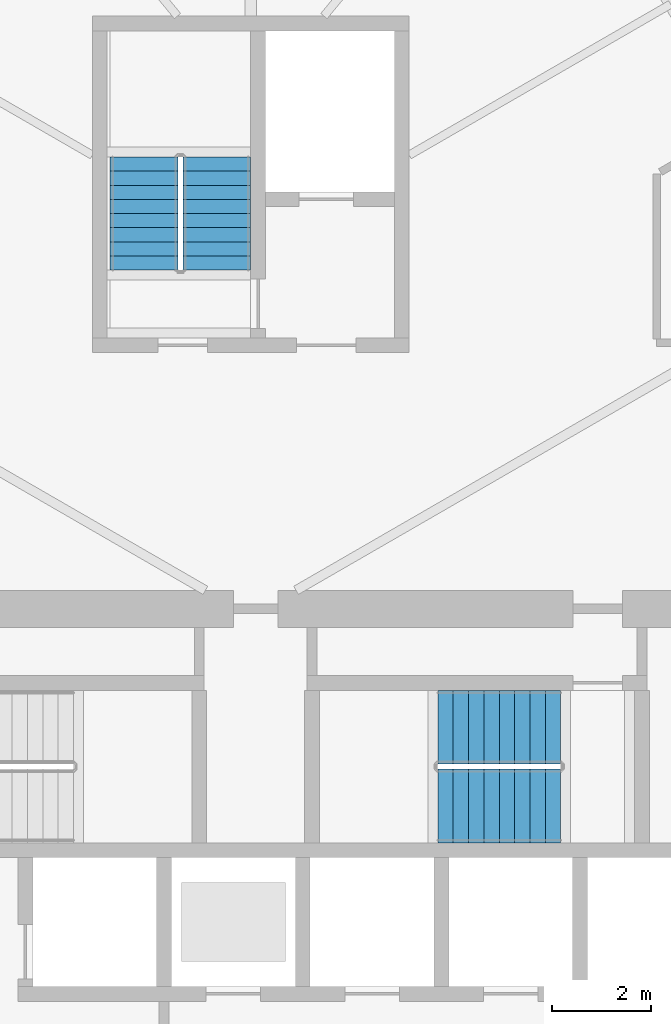
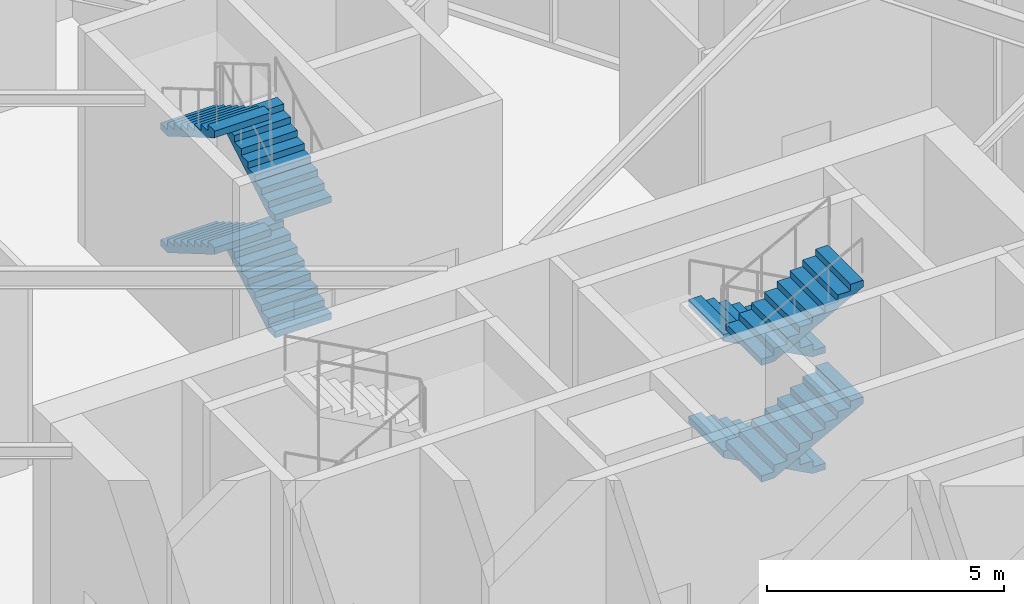
# One storey, part 13 of 16: 8 stair flights, 2 elements without a shape of their own.
"""IFC4 building model written with IfcOpenShell, lengths in metres."""

from ifc_helpers import new_model, si_unit, direction, frame, origin, place, context, subcontext, project, spatial, polyline, outline, extrude, material, type_object, element, aggregate, save


model = new_model("IFC4")

# Units and contexts
model_context = context("Model", 3, precision=1e-05, world=origin(), true_north=direction((0.0, 1.0)))
body_context = subcontext(model_context, "Body", "Model", "MODEL_VIEW")
ifc_project = project(units=[si_unit("LENGTHUNIT", "METRE"), si_unit("AREAUNIT", "SQUARE_METRE"), si_unit("VOLUMEUNIT", "CUBIC_METRE"), si_unit("PLANEANGLEUNIT", "RADIAN"), si_unit("MASSUNIT", "GRAM", prefix="KILO")], contexts=[model_context])

# Site, building, storey
site_placement = place(None, origin())
site = spatial("IfcSite", under=ifc_project, at=site_placement, CompositionType="ELEMENT")
building_placement = place(site_placement, origin())
building = spatial("IfcBuilding", under=site, at=building_placement, Name="Firuza Gate Tower and Library", CompositionType="ELEMENT")
storey_placement = place(building_placement, frame((0.0, 0.0, 241.60009765625)))
storey = spatial("IfcBuildingStorey", under=building, at=storey_placement, Name="L57", CompositionType="ELEMENT", Elevation=241.60009765625)

# Stair, stair flights
ifc_material_1 = material(Name="Concrete C35/45", Category="concrete")
stair_type_1 = type_object("IfcStairType", Name="Exit stair ST15", PredefinedType="HALF_TURN_STAIR", material=ifc_material_1)
placement = place(storey_placement, origin())
stair_1 = element("IfcStair", 1, at=placement, inside=storey, type_object=stair_type_1, Name="L57 Stair ST3", PredefinedType="HALF_TURN_STAIR")
ifc_material_2 = material(Name="Concrete C35/45", Category="concrete")
stair_flight_type_1 = type_object("IfcStairFlightType", Name="Stair flight 9 risers 166.7 width 1370", PredefinedType="STRAIGHT", material=ifc_material_2)
stair_flight_1_placement = place(storey_placement, frame((74.31494140625, 89.469970703125, 0.0), z_axis=(0.0, 0.0, 1.0), x_axis=(0.0, 1.0, 0.0)))
stair_flight_1 = element("IfcStairFlight", 2, at=stair_flight_1_placement, type_object=stair_flight_type_1, Name="ST3 flight 1", NumberOfRisers=9, NumberOfTreads=8, PredefinedType="STRAIGHT", RiserHeight=0.166666667, TreadLength=0.285, context=body_context, shape_type="SweptSolid", body=[
    extrude(outline(polyline([(0.0, 0.0), (0.0, 0.166748046875), (0.284912109375, 0.166748046875), (0.284912109375, 0.333251953125), (0.570068359375, 0.333251953125), (0.570068359375, 0.5), (0.85498046875, 0.5), (0.85498046875, 0.666748046875), (1.139892578125, 0.666748046875), (1.139892578125, 0.833251953125), (1.425048828125, 0.833251953125), (1.425048828125, 1.0), (1.7099609375, 1.0), (1.7099609375, 1.166748046875), (1.9951171875, 1.166748046875), (1.9951171875, 1.333251953125), (2.280029296875, 1.333251953125), (2.280029296875, 1.5), (2.280029296875, 1.15966796875), (0.296875, 0.0), (0.0, 0.0)])), frame((0.0, 0.68505859375, 0.0), z_axis=(0.0, -1.0, 0.0), x_axis=(1.0, 0.0, 0.0)), (0.0, 0.0, 1.0), 1.3701171875),
])
stair_flight_2_placement = place(storey_placement, frame((72.844970703125, 91.75, 1.5), z_axis=(0.0, 0.0, 1.0), x_axis=(0.0, -1.0, 0.0)))
stair_flight_2 = element("IfcStairFlight", 3, at=stair_flight_2_placement, type_object=stair_flight_type_1, Name="ST3 flight 2", NumberOfRisers=9, NumberOfTreads=8, PredefinedType="STRAIGHT", RiserHeight=0.166666667, TreadLength=0.285, context=body_context, shape_type="SweptSolid", body=[
    extrude(outline(polyline([(0.0, 0.0), (0.0, 0.166748046875), (0.284912109375, 0.166748046875), (0.284912109375, 0.333251953125), (0.570068359375, 0.333251953125), (0.570068359375, 0.5), (0.85498046875, 0.5), (0.85498046875, 0.666748046875), (1.139892578125, 0.666748046875), (1.139892578125, 0.833251953125), (1.425048828125, 0.833251953125), (1.425048828125, 1.0), (1.7099609375, 1.0), (1.7099609375, 1.166748046875), (1.9951171875, 1.166748046875), (1.9951171875, 1.333251953125), (2.280029296875, 1.333251953125), (2.280029296875, 1.5), (2.280029296875, 1.15966796875), (0.296875, 0.0), (0.0, 0.0)])), frame((0.0, 0.68505859375, 0.0), z_axis=(0.0, -1.0, 0.0), x_axis=(1.0, 0.0, 0.0)), (0.0, 0.0, 1.0), 1.3701171875),
])
stair_flight_3_placement = place(storey_placement, frame((74.31494140625, 89.469970703125, 3.0), z_axis=(0.0, 0.0, 1.0), x_axis=(0.0, 1.0, 0.0)))
stair_flight_3 = element("IfcStairFlight", 4, at=stair_flight_3_placement, type_object=stair_flight_type_1, Name="ST3 flight 3", NumberOfRisers=9, NumberOfTreads=8, PredefinedType="STRAIGHT", RiserHeight=0.166666667, TreadLength=0.285, context=body_context, shape_type="SweptSolid", body=[
    extrude(outline(polyline([(0.0, 0.0), (0.0, 0.166748046875), (0.284912109375, 0.166748046875), (0.284912109375, 0.333251953125), (0.570068359375, 0.333251953125), (0.570068359375, 0.5), (0.85498046875, 0.5), (0.85498046875, 0.666748046875), (1.139892578125, 0.666748046875), (1.139892578125, 0.833251953125), (1.425048828125, 0.833251953125), (1.425048828125, 1.0), (1.7099609375, 1.0), (1.7099609375, 1.166748046875), (1.9951171875, 1.166748046875), (1.9951171875, 1.333251953125), (2.280029296875, 1.333251953125), (2.280029296875, 1.5), (2.280029296875, 1.15966796875), (0.296875, 0.0), (0.0, 0.0)])), frame((0.0, 0.68505859375, 0.0), z_axis=(0.0, -1.0, 0.0), x_axis=(1.0, 0.0, 0.0)), (0.0, 0.0, 1.0), 1.3701171875),
])
stair_flight_4_placement = place(storey_placement, frame((72.844970703125, 91.75, 4.5), z_axis=(0.0, 0.0, 1.0), x_axis=(0.0, -1.0, 0.0)))
stair_flight_4 = element("IfcStairFlight", 5, at=stair_flight_4_placement, type_object=stair_flight_type_1, Name="ST3 flight 4", NumberOfRisers=9, NumberOfTreads=8, PredefinedType="STRAIGHT", RiserHeight=0.166666667, TreadLength=0.285, context=body_context, shape_type="SweptSolid", body=[
    extrude(outline(polyline([(0.0, 0.0), (0.0, 0.166748046875), (0.284912109375, 0.166748046875), (0.284912109375, 0.333251953125), (0.570068359375, 0.333251953125), (0.570068359375, 0.5), (0.85498046875, 0.5), (0.85498046875, 0.666748046875), (1.139892578125, 0.666748046875), (1.139892578125, 0.833251953125), (1.425048828125, 0.833251953125), (1.425048828125, 1.0), (1.7099609375, 1.0), (1.7099609375, 1.166748046875), (1.9951171875, 1.166748046875), (1.9951171875, 1.333251953125), (2.280029296875, 1.333251953125), (2.280029296875, 1.5), (2.280029296875, 1.15966796875), (0.296875, 0.0), (0.0, 0.0)])), frame((0.0, 0.68505859375, 0.0), z_axis=(0.0, -1.0, 0.0), x_axis=(1.0, 0.0, 0.0)), (0.0, 0.0, 1.0), 1.3701171875),
])
aggregate(stair_1, [stair_flight_1, stair_flight_2, stair_flight_3, stair_flight_4])

ifc_material_3 = material(Name="Concrete C35/45", Category="concrete")
stair_type_2 = type_object("IfcStairType", Name="Exit stair ST6", PredefinedType="HALF_TURN_STAIR", material=ifc_material_3)
stair_2 = element("IfcStair", 6, at=placement, inside=storey, type_object=stair_type_2, Name="L57 Stair ST2", PredefinedType="HALF_TURN_STAIR")
ifc_material_4 = material(Name="Concrete C35/45", Category="concrete")
stair_flight_type_2 = type_object("IfcStairFlightType", Name="Stair flight 9 risers 166.7 width 1490", PredefinedType="STRAIGHT", material=ifc_material_4)
stair_flight_5_placement = place(storey_placement, frame((81.260009765625, 80.235107421875, 0.0), z_axis=(0.0, 0.0, 1.0), x_axis=(-1.0, 0.0, 0.0)))
stair_flight_5 = element("IfcStairFlight", 7, at=stair_flight_5_placement, type_object=stair_flight_type_2, Name="ST2 flight 1", NumberOfRisers=9, NumberOfTreads=8, PredefinedType="STRAIGHT", RiserHeight=0.166666667, TreadLength=0.31, context=body_context, shape_type="SweptSolid", body=[
    extrude(outline(polyline([(0.0, 0.0), (0.0, 0.166748046875), (0.31005859375, 0.166748046875), (0.31005859375, 0.333251953125), (0.6201171875, 0.333251953125), (0.6201171875, 0.5), (0.929931640625, 0.5), (0.929931640625, 0.666748046875), (1.239990234375, 0.666748046875), (1.239990234375, 0.833251953125), (1.550048828125, 0.833251953125), (1.550048828125, 1.0), (1.860107421875, 1.0), (1.860107421875, 1.166748046875), (2.169921875, 1.166748046875), (2.169921875, 1.333251953125), (2.47998046875, 1.333251953125), (2.47998046875, 1.5), (2.47998046875, 1.1630859375), (0.316650390625, 0.0), (0.0, 0.0)])), frame((0.0, 0.7451171875, 0.0), z_axis=(0.0, -1.0, 0.0), x_axis=(1.0, 0.0, 0.0)), (0.0, 0.0, 1.0), 1.489990234375),
])
stair_flight_6_placement = place(storey_placement, frame((78.780029296875, 78.64501953125, 1.5), z_axis=(0.0, 0.0, 1.0), x_axis=(1.0, 0.0, 0.0)))
stair_flight_6 = element("IfcStairFlight", 8, at=stair_flight_6_placement, type_object=stair_flight_type_2, Name="ST2 flight 2", NumberOfRisers=9, NumberOfTreads=8, PredefinedType="STRAIGHT", RiserHeight=0.166666667, TreadLength=0.31, context=body_context, shape_type="SweptSolid", body=[
    extrude(outline(polyline([(0.0, 0.0), (0.0, 0.166748046875), (0.31005859375, 0.166748046875), (0.31005859375, 0.333251953125), (0.6201171875, 0.333251953125), (0.6201171875, 0.5), (0.929931640625, 0.5), (0.929931640625, 0.666748046875), (1.239990234375, 0.666748046875), (1.239990234375, 0.833251953125), (1.550048828125, 0.833251953125), (1.550048828125, 1.0), (1.860107421875, 1.0), (1.860107421875, 1.166748046875), (2.169921875, 1.166748046875), (2.169921875, 1.333251953125), (2.47998046875, 1.333251953125), (2.47998046875, 1.5), (2.47998046875, 1.1630859375), (0.316650390625, 0.0), (0.0, 0.0)])), frame((0.0, 0.7451171875, 0.0), z_axis=(0.0, -1.0, 0.0), x_axis=(1.0, 0.0, 0.0)), (0.0, 0.0, 1.0), 1.489990234375),
])
stair_flight_7_placement = place(storey_placement, frame((81.260009765625, 80.235107421875, 3.0), z_axis=(0.0, 0.0, 1.0), x_axis=(-1.0, 0.0, 0.0)))
stair_flight_7 = element("IfcStairFlight", 9, at=stair_flight_7_placement, type_object=stair_flight_type_2, Name="ST2 flight 3", NumberOfRisers=9, NumberOfTreads=8, PredefinedType="STRAIGHT", RiserHeight=0.166666667, TreadLength=0.31, context=body_context, shape_type="SweptSolid", body=[
    extrude(outline(polyline([(0.0, 0.0), (0.0, 0.166748046875), (0.31005859375, 0.166748046875), (0.31005859375, 0.333251953125), (0.6201171875, 0.333251953125), (0.6201171875, 0.5), (0.929931640625, 0.5), (0.929931640625, 0.666748046875), (1.239990234375, 0.666748046875), (1.239990234375, 0.833251953125), (1.550048828125, 0.833251953125), (1.550048828125, 1.0), (1.860107421875, 1.0), (1.860107421875, 1.166748046875), (2.169921875, 1.166748046875), (2.169921875, 1.333251953125), (2.47998046875, 1.333251953125), (2.47998046875, 1.5), (2.47998046875, 1.1630859375), (0.316650390625, 0.0), (0.0, 0.0)])), frame((0.0, 0.7451171875, 0.0), z_axis=(0.0, -1.0, 0.0), x_axis=(1.0, 0.0, 0.0)), (0.0, 0.0, 1.0), 1.489990234375),
])
stair_flight_8_placement = place(storey_placement, frame((78.780029296875, 78.64501953125, 4.5), z_axis=(0.0, 0.0, 1.0), x_axis=(1.0, 0.0, 0.0)))
stair_flight_8 = element("IfcStairFlight", 10, at=stair_flight_8_placement, type_object=stair_flight_type_2, Name="ST2 flight 4", NumberOfRisers=9, NumberOfTreads=8, PredefinedType="STRAIGHT", RiserHeight=0.166666667, TreadLength=0.31, context=body_context, shape_type="SweptSolid", body=[
    extrude(outline(polyline([(0.0, 0.0), (0.0, 0.166748046875), (0.31005859375, 0.166748046875), (0.31005859375, 0.333251953125), (0.6201171875, 0.333251953125), (0.6201171875, 0.5), (0.929931640625, 0.5), (0.929931640625, 0.666748046875), (1.239990234375, 0.666748046875), (1.239990234375, 0.833251953125), (1.550048828125, 0.833251953125), (1.550048828125, 1.0), (1.860107421875, 1.0), (1.860107421875, 1.166748046875), (2.169921875, 1.166748046875), (2.169921875, 1.333251953125), (2.47998046875, 1.333251953125), (2.47998046875, 1.5), (2.47998046875, 1.1630859375), (0.316650390625, 0.0), (0.0, 0.0)])), frame((0.0, 0.7451171875, 0.0), z_axis=(0.0, -1.0, 0.0), x_axis=(1.0, 0.0, 0.0)), (0.0, 0.0, 1.0), 1.489990234375),
])
aggregate(stair_2, [stair_flight_5, stair_flight_6, stair_flight_7, stair_flight_8])

save(model, "model.ifc")
